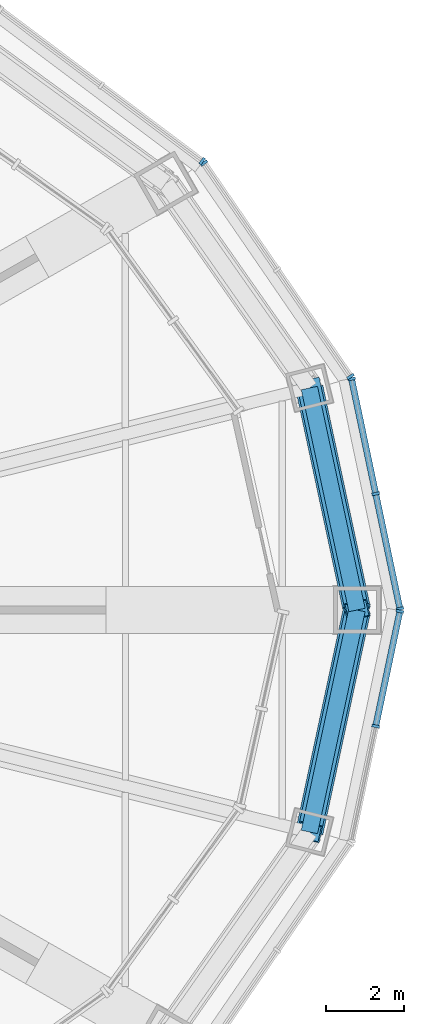
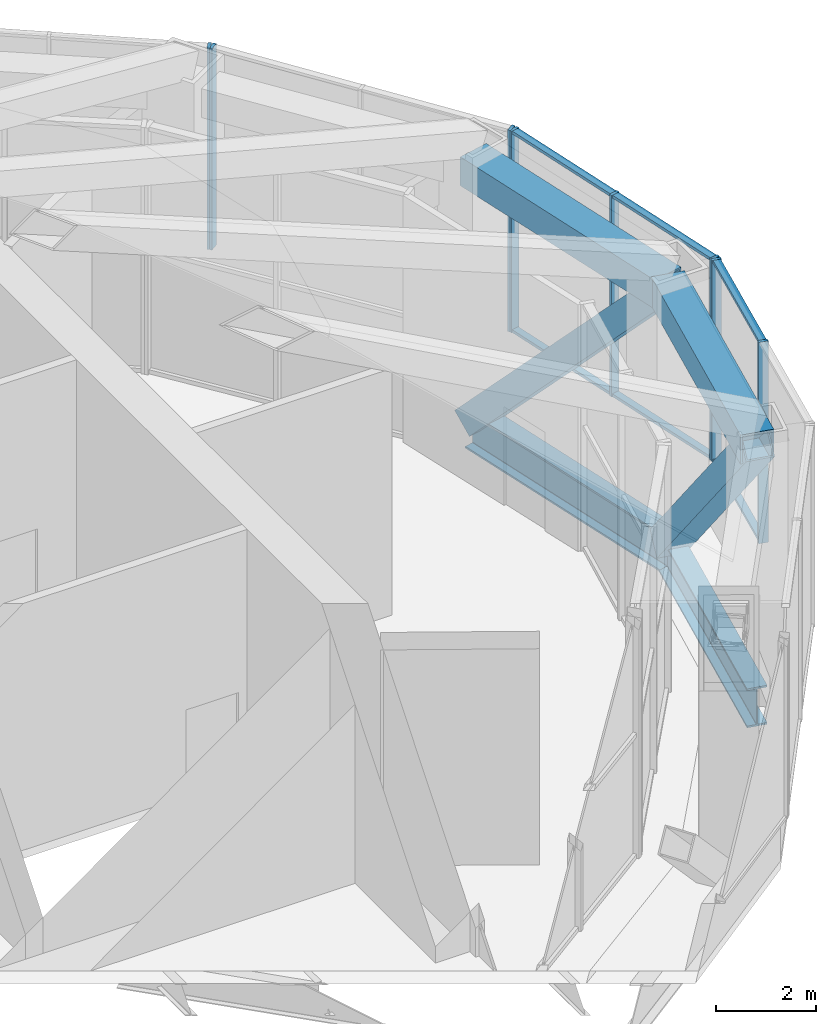
# One storey, part 10 of 21: 16 members, 4 beams, 4 elements without a shape of their own.
"""IFC4 building model written with IfcOpenShell, lengths in metres."""

from ifc_helpers import new_model, si_unit, direction, frame, origin, origin_2d, place, context, subcontext, project, spatial, rectangle, hollow_rectangle, i_section, extrude, material, material_profile, profile_set, type_object, element, aggregate, save


model = new_model("IFC4")

# Units and contexts
model_context = context("Model", 3, precision=1e-05, world=origin(), true_north=direction((0.0, 1.0)))
body_context = subcontext(model_context, "Body", "Model", "MODEL_VIEW")
ifc_project = project(units=[si_unit("LENGTHUNIT", "METRE"), si_unit("AREAUNIT", "SQUARE_METRE"), si_unit("VOLUMEUNIT", "CUBIC_METRE"), si_unit("PLANEANGLEUNIT", "RADIAN"), si_unit("MASSUNIT", "GRAM", prefix="KILO")], contexts=[model_context])

# Site, building, storey
site_placement = place(None, origin())
site = spatial("IfcSite", under=ifc_project, at=site_placement, CompositionType="ELEMENT")
building_placement = place(site_placement, origin())
building = spatial("IfcBuilding", under=site, at=building_placement, Name="Lantaw Convention Tower", CompositionType="ELEMENT")
storey_placement = place(building_placement, frame((0.0, 0.0, 290.39990234375)))
storey = spatial("IfcBuildingStorey", under=building, at=storey_placement, Name="L67", CompositionType="ELEMENT", Elevation=290.39990234375)

# Beams
ifc_material_1 = material(Name="Steel ASTM A992", Category="steel")
ifc_material_profile_1 = material_profile(ifc_material_1, i_section(OverallWidth=0.424072265625, OverallDepth=0.947509765625, WebThickness=0.02392578125, FlangeThickness=0.042724609375, FilletRadius=0.012451171875, at=origin_2d()), Name="W36X302")
ifc_profile_set_1 = profile_set([ifc_material_profile_1], Name="Steel ASTM A992")
beam_type_1 = type_object("IfcBeamType", Name="Beam BC W36X302", PredefinedType="SPANDREL", material=ifc_profile_set_1)
for number, where, z_axis, x_axis, name in (
    (1, (23.89990234375, 0.0, -0.673583984375), (-0.209658780372, 0.977774614015, 0.0), (-0.977774614015, -0.209658780372, 0.0), "Belt truss chord 1"),
    (2, (22.68701171875, -5.656494140625, -0.673583984375), (0.209658780372, 0.977774614015, 0.0), (-0.977774614015, 0.209658780372, 0.0), "Belt truss chord 24"),
):
    element("IfcBeam", number, at=place(storey_placement, frame(where, z_axis=z_axis, x_axis=x_axis)), inside=storey, type_object=beam_type_1, Name=name, PredefinedType="SPANDREL", context=body_context, shape_type="SweptSolid", body=[
        extrude(i_section(OverallWidth=0.424072265625, OverallDepth=0.947509765625, WebThickness=0.02392578125, FlangeThickness=0.042724609375, FilletRadius=0.012451171875, at=origin_2d()), origin(), (0.0, 0.0, 1.0), 5.78515625),
    ])
ifc_material_2 = material(Name="Steel ASTM A572 Grade 50", Category="steel")
ifc_material_profile_2 = material_profile(ifc_material_2, hollow_rectangle(XDim=0.699951171875, YDim=0.699951171875, WallThickness=0.0400390625, at=origin_2d()), Name="BOX700X40")
ifc_profile_set_2 = profile_set([ifc_material_profile_2], Name="Steel ASTM A572 Grade 50")
beam_type_2 = type_object("IfcBeamType", Name="Beam crown ring BOX700X40", PredefinedType="SPANDREL", material=ifc_profile_set_2)
for number, where, z_axis, x_axis, name in (
    (3, (23.89990234375, 0.0, 5.650146484375), (-0.209658780372, 0.977774614015, 0.0), (-0.977774614015, -0.209658780372, 0.0), "Crown ring beam"),
    (4, (22.68701171875, -5.656494140625, 5.650146484375), (0.209658780372, 0.977774614015, 0.0), (-0.977774614015, 0.209658780372, 0.0), "Crown ring beam"),
):
    element("IfcBeam", number, at=place(storey_placement, frame(where, z_axis=z_axis, x_axis=x_axis)), inside=storey, type_object=beam_type_2, Name=name, PredefinedType="SPANDREL", context=body_context, shape_type="SweptSolid", body=[
        extrude(hollow_rectangle(XDim=0.699951171875, YDim=0.699951171875, WallThickness=0.0400390625, at=origin_2d()), origin(), (0.0, 0.0, 1.0), 5.78515625),
    ])

# Curtain wall, members
ifc_material_3 = material(Name="Aluminium framed curtain wall", Category="aluminium")
curtain_wall_type = type_object("IfcCurtainWallType", Name="Plant floor louvre wall, pale aluminium", PredefinedType="USERDEFINED", material=ifc_material_3)
curtain_wall_1_placement = place(storey_placement, origin())
curtain_wall_1 = element("IfcCurtainWall", 5, at=curtain_wall_1_placement, inside=storey, type_object=curtain_wall_type, Name="Plant floor louvre wall, pale aluminium L67", ObjectType="LOUVRE WALL", PredefinedType="USERDEFINED")
ifc_material_4 = material(Name="Aluminium 6063-T6", Category="aluminium")
ifc_material_profile_3 = material_profile(ifc_material_4, rectangle(XDim=0.199951171875, YDim=0.070068359375, at=origin_2d()), Name="CW-LV mullion 70x200")
ifc_profile_set_3 = profile_set([ifc_material_profile_3], Name="Aluminium 6063-T6")
member_type_1 = type_object("IfcMemberType", Name="CW-LV mullion 70x200", PredefinedType="MULLION", material=ifc_profile_set_3)
member_1_placement = place(storey_placement, frame((24.99267578125, 0.0341796875, 1.10009765625), z_axis=(0.0, 0.0, 1.0), x_axis=(-0.978591117263, -0.205814054946, 0.0)))
member_1 = element("IfcMember", 6, at=member_1_placement, type_object=member_type_1, Name="CW-LV mullion 1", PredefinedType="MULLION", context=body_context, shape_type="SweptSolid", body=[
    extrude(rectangle(XDim=0.199951171875, YDim=0.070068359375, at=origin_2d()), origin(), (0.0, 0.0, 1.0), 4.89990234375),
])
member_2_placement = place(storey_placement, frame((24.377197265625, 2.96142578125, 1.10009765625), z_axis=(0.0, 0.0, 1.0), x_axis=(-0.978591117263, -0.205814054946, 0.0)))
member_2 = element("IfcMember", 7, at=member_2_placement, type_object=member_type_1, Name="CW-LV mullion 2", PredefinedType="MULLION", context=body_context, shape_type="SweptSolid", body=[
    extrude(rectangle(XDim=0.199951171875, YDim=0.070068359375, at=origin_2d()), origin(), (0.0, 0.0, 1.0), 4.89990234375),
])
member_3_placement = place(storey_placement, frame((23.761474609375, 5.888427734375, 1.10009765625), z_axis=(0.0, 0.0, 1.0), x_axis=(-0.978591117263, -0.205814054946, 0.0)))
member_3 = element("IfcMember", 8, at=member_3_placement, type_object=member_type_1, Name="CW-LV mullion 3", PredefinedType="MULLION", context=body_context, shape_type="SweptSolid", body=[
    extrude(rectangle(XDim=0.199951171875, YDim=0.070068359375, at=origin_2d()), origin(), (0.0, 0.0, 1.0), 4.89990234375),
])

curtain_wall_2_placement = place(storey_placement, origin())
curtain_wall_2 = element("IfcCurtainWall", 9, at=curtain_wall_2_placement, inside=storey, type_object=curtain_wall_type, Name="Plant floor louvre wall, pale aluminium L67", ObjectType="LOUVRE WALL", PredefinedType="USERDEFINED")
member_4_placement = place(storey_placement, frame((23.734619140625, 5.951416015625, 1.10009765625), z_axis=(0.0, 0.0, 1.0), x_axis=(-0.824449977189, -0.565934832921, 0.0)))
member_4 = element("IfcMember", 10, at=member_4_placement, type_object=member_type_1, Name="CW-LV mullion 1", PredefinedType="MULLION", context=body_context, shape_type="SweptSolid", body=[
    extrude(rectangle(XDim=0.199951171875, YDim=0.070068359375, at=origin_2d()), origin(), (0.0, 0.0, 1.0), 4.89990234375),
])
member_5_placement = place(storey_placement, frame((20.001708984375, 11.389404296875, 1.10009765625), z_axis=(0.0, 0.0, 1.0), x_axis=(-0.824449977189, -0.565934832921, 0.0)))
member_5 = element("IfcMember", 11, at=member_5_placement, type_object=member_type_1, Name="CW-LV mullion 3", PredefinedType="MULLION", context=body_context, shape_type="SweptSolid", body=[
    extrude(rectangle(XDim=0.199951171875, YDim=0.070068359375, at=origin_2d()), origin(), (0.0, 0.0, 1.0), 4.89990234375),
])
aggregate(curtain_wall_2, [member_4, member_5])

# Curtain wall, member
curtain_wall_3_placement = place(storey_placement, origin())
curtain_wall_3 = element("IfcCurtainWall", 12, at=curtain_wall_3_placement, inside=storey, type_object=curtain_wall_type, Name="Plant floor louvre wall, pale aluminium L67", ObjectType="LOUVRE WALL", PredefinedType="USERDEFINED")
member_6_placement = place(storey_placement, frame((19.953857421875, 11.439208984375, 1.10009765625), z_axis=(0.0, 0.0, 1.0), x_axis=(-0.600642756762, -0.799517528732, 0.0)))
member_6 = element("IfcMember", 13, at=member_6_placement, type_object=member_type_1, Name="CW-LV mullion 1", PredefinedType="MULLION", context=body_context, shape_type="SweptSolid", body=[
    extrude(rectangle(XDim=0.199951171875, YDim=0.070068359375, at=origin_2d()), origin(), (0.0, 0.0, 1.0), 4.89990234375),
])
aggregate(curtain_wall_3, [member_6])

# Curtain wall, members
curtain_wall_4_placement = place(storey_placement, origin())
curtain_wall_4 = element("IfcCurtainWall", 14, at=curtain_wall_4_placement, inside=storey, type_object=curtain_wall_type, Name="Plant floor louvre wall, pale aluminium L67", ObjectType="LOUVRE WALL", PredefinedType="USERDEFINED")
member_7_placement = place(storey_placement, frame((24.377197265625, -2.96142578125, 1.10009765625), z_axis=(0.0, 0.0, 1.0), x_axis=(-0.978591117263, 0.205814054946, 0.0)))
member_7 = element("IfcMember", 15, at=member_7_placement, type_object=member_type_1, Name="CW-LV mullion 2", PredefinedType="MULLION", context=body_context, shape_type="SweptSolid", body=[
    extrude(rectangle(XDim=0.199951171875, YDim=0.070068359375, at=origin_2d()), origin(), (0.0, 0.0, 1.0), 4.89990234375),
])
member_8_placement = place(storey_placement, frame((24.99267578125, -0.0341796875, 1.10009765625), z_axis=(0.0, 0.0, 1.0), x_axis=(-0.978591117263, 0.205814054946, 0.0)))
member_8 = element("IfcMember", 16, at=member_8_placement, type_object=member_type_1, Name="CW-LV mullion 3", PredefinedType="MULLION", context=body_context, shape_type="SweptSolid", body=[
    extrude(rectangle(XDim=0.199951171875, YDim=0.070068359375, at=origin_2d()), origin(), (0.0, 0.0, 1.0), 4.89990234375),
])

# Member
ifc_material_profile_4 = material_profile(ifc_material_4, rectangle(XDim=0.159912109375, YDim=0.070068359375, at=origin_2d()), Name="CW-LV transom 70x160")
ifc_profile_set_4 = profile_set([ifc_material_profile_4], Name="Aluminium 6063-T6")
member_type_2 = type_object("IfcMemberType", Name="CW-LV transom 70x160", PredefinedType="USERDEFINED", material=ifc_profile_set_4)
member_9_placement = place(storey_placement, frame((24.985595703125, 0.068603515625, 1.135009765625), z_axis=(-0.205863045856, 0.978580812376, 0.0), x_axis=(-0.978580812376, -0.205863045856, 0.0)))
member_9 = element("IfcMember", 17, at=member_9_placement, type_object=member_type_2, Name="CW-LV transom 1.1", ObjectType="TRANSOM", PredefinedType="USERDEFINED", context=body_context, shape_type="SweptSolid", body=[
    extrude(rectangle(XDim=0.159912109375, YDim=0.070068359375, at=origin_2d()), origin(), (0.0, 0.0, 1.0), 2.9208984375),
])

member_10_placement = place(storey_placement, frame((24.985595703125, 0.068603515625, 5.965087890625), z_axis=(-0.205863045856, 0.978580812376, 0.0), x_axis=(-0.978580812376, -0.205863045856, 0.0)))
member_10 = element("IfcMember", 18, at=member_10_placement, type_object=member_type_2, Name="CW-LV transom 1.2", ObjectType="TRANSOM", PredefinedType="USERDEFINED", context=body_context, shape_type="SweptSolid", body=[
    extrude(rectangle(XDim=0.159912109375, YDim=0.070068359375, at=origin_2d()), origin(), (0.0, 0.0, 1.0), 2.9208984375),
])

member_11_placement = place(storey_placement, frame((24.369873046875, 2.99560546875, 1.135009765625), z_axis=(-0.205766173106, 0.978601186391, 0.0), x_axis=(-0.978601186391, -0.205766173106, 0.0)))
member_11 = element("IfcMember", 19, at=member_11_placement, type_object=member_type_2, Name="CW-LV transom 2.1", ObjectType="TRANSOM", PredefinedType="USERDEFINED", context=body_context, shape_type="SweptSolid", body=[
    extrude(rectangle(XDim=0.159912109375, YDim=0.070068359375, at=origin_2d()), origin(), (0.0, 0.0, 1.0), 2.921142578125),
])

member_12_placement = place(storey_placement, frame((24.369873046875, 2.99560546875, 5.965087890625), z_axis=(-0.205766173106, 0.978601186391, 0.0), x_axis=(-0.978601186391, -0.205766173106, 0.0)))
member_12 = element("IfcMember", 20, at=member_12_placement, type_object=member_type_2, Name="CW-LV transom 2.2", ObjectType="TRANSOM", PredefinedType="USERDEFINED", context=body_context, shape_type="SweptSolid", body=[
    extrude(rectangle(XDim=0.159912109375, YDim=0.070068359375, at=origin_2d()), origin(), (0.0, 0.0, 1.0), 2.921142578125),
])

aggregate(curtain_wall_1, [member_1, member_2, member_3, member_9, member_10, member_11, member_12])

member_13_placement = place(storey_placement, frame((24.38427734375, -2.927001953125, 1.135009765625), z_axis=(0.205863045856, 0.978580812376, 0.0), x_axis=(-0.978580812376, 0.205863045856, 0.0)))
member_13 = element("IfcMember", 21, at=member_13_placement, type_object=member_type_2, Name="CW-LV transom 2.1", ObjectType="TRANSOM", PredefinedType="USERDEFINED", context=body_context, shape_type="SweptSolid", body=[
    extrude(rectangle(XDim=0.159912109375, YDim=0.070068359375, at=origin_2d()), origin(), (0.0, 0.0, 1.0), 2.9208984375),
])

member_14_placement = place(storey_placement, frame((24.38427734375, -2.927001953125, 5.965087890625), z_axis=(0.205863045856, 0.978580812376, 0.0), x_axis=(-0.978580812376, 0.205863045856, 0.0)))
member_14 = element("IfcMember", 22, at=member_14_placement, type_object=member_type_2, Name="CW-LV transom 2.2", ObjectType="TRANSOM", PredefinedType="USERDEFINED", context=body_context, shape_type="SweptSolid", body=[
    extrude(rectangle(XDim=0.159912109375, YDim=0.070068359375, at=origin_2d()), origin(), (0.0, 0.0, 1.0), 2.9208984375),
])

aggregate(curtain_wall_4, [member_7, member_8, member_13, member_14])

# Members
ifc_material_profile_5 = material_profile(ifc_material_2, hollow_rectangle(XDim=0.60009765625, YDim=0.60009765625, WallThickness=0.031982421875, at=origin_2d()), Name="BOX600X32")
ifc_profile_set_5 = profile_set([ifc_material_profile_5], Name="Steel ASTM A572 Grade 50")
member_type_3 = type_object("IfcMemberType", Name="Member CR BOX600X32", PredefinedType="BRACE", material=ifc_profile_set_5)
for number, where, z_axis, x_axis, name in (
    (23, (22.68701171875, 5.656494140625, -0.505859375), (0.143033508961, -0.667057844023, 0.731146529802), (0.977774614015, 0.209658780372, 0.0), "Crown ring truss diagonal 1 (upper)"),
    (24, (23.89990234375, 0.0, -0.505859375), (-0.143033508961, -0.667057844023, 0.731146529802), (0.977774614015, -0.209658780372, 0.0), "Crown ring truss diagonal 24 (upper)"),
):
    element("IfcMember", number, at=place(storey_placement, frame(where, z_axis=z_axis, x_axis=x_axis)), inside=storey, type_object=member_type_3, Name=name, PredefinedType="BRACE", context=body_context, shape_type="SweptSolid", body=[
        extrude(hollow_rectangle(XDim=0.60009765625, YDim=0.60009765625, WallThickness=0.031982421875, at=origin_2d()), origin(), (0.0, 0.0, 1.0), 8.479736328125),
    ])

save(model, "model.ifc")
